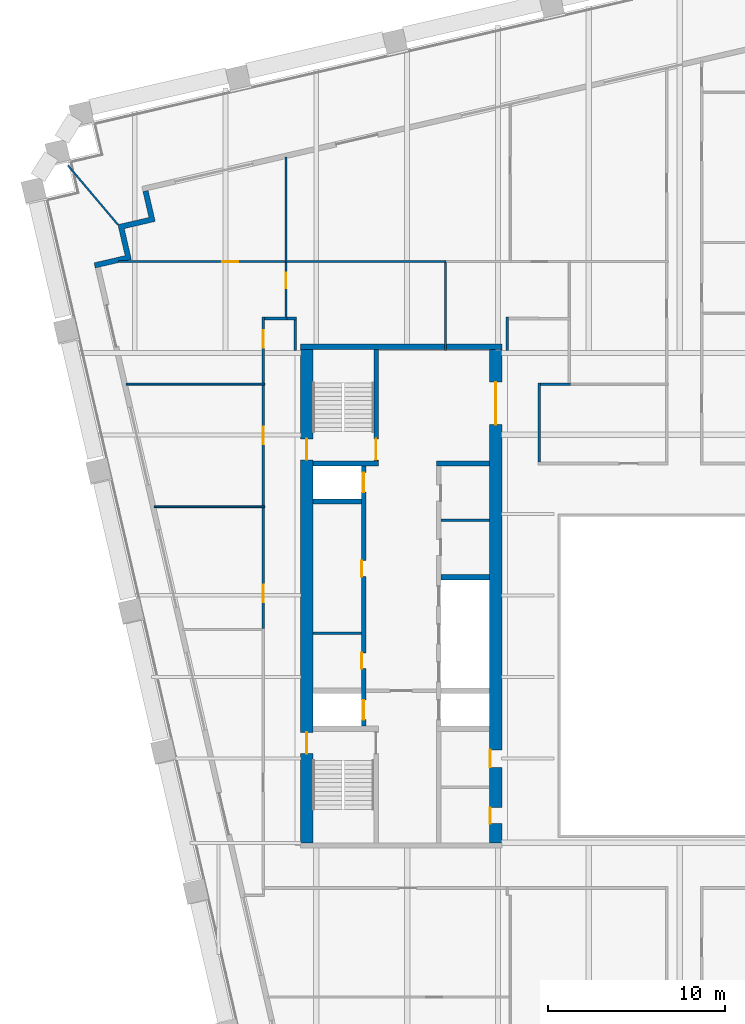
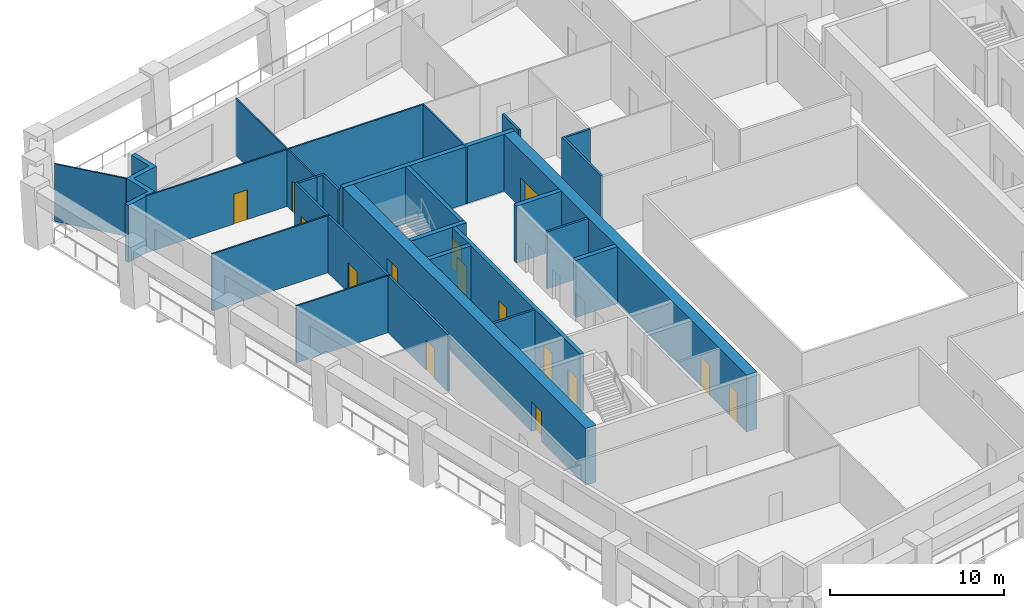
# One storey, part 6 of 10: 29 walls, 15 doors, 15 openings.
"""IFC4 building model written with IfcOpenShell, lengths in metres."""

from ifc_helpers import new_model, si_unit, direction, frame, frame_2d, origin, place, context, subcontext, project, spatial, polyline, rectangle, outline, extrude, material, layer, layer_set, type_object, element, fill, save


model = new_model("IFC4")

# Units and contexts
model_context = context("Model", 3, precision=1e-05, world=origin(), true_north=direction((0.0, 1.0)))
body_context = subcontext(model_context, "Body", "Model", "MODEL_VIEW")
ifc_project = project(units=[si_unit("LENGTHUNIT", "METRE"), si_unit("AREAUNIT", "SQUARE_METRE"), si_unit("VOLUMEUNIT", "CUBIC_METRE"), si_unit("PLANEANGLEUNIT", "RADIAN"), si_unit("MASSUNIT", "GRAM", prefix="KILO")], contexts=[model_context])

# Site, building, storey
site_placement = place(None, origin())
site = spatial("IfcSite", under=ifc_project, at=site_placement, CompositionType="ELEMENT")
building_placement = place(site_placement, origin())
building = spatial("IfcBuilding", under=site, at=building_placement, Name="Ogive Exchange Tower", CompositionType="ELEMENT")
storey_placement = place(building_placement, frame((0.0, 0.0, 192.60009765625)))
storey = spatial("IfcBuildingStorey", under=building, at=storey_placement, Name="L42", CompositionType="ELEMENT", Elevation=192.60009765625)

# Walls
ifc_material_1 = material(Name="Gypsum board partition")
ifc_layer_1 = layer(ifc_material_1, 0.14990234375)
ifc_layer_set_1 = layer_set([ifc_layer_1], Name="Core room partition 150 gypsum")
wall_type_1 = type_object("IfcWallType", Name="Core room partition 150 gypsum", PredefinedType="PARTITIONING", material=ifc_layer_set_1)
for number, where, z_axis, x_axis, name in (
    (1, (-21.0, 9.39990234375, 0.0), (0.0, 0.0, 1.0), (1.0, 0.0, 0.0), "W row A bay partition 1-1"),
    (2, (-13.75, 15.800048828125, 0.0), (0.0, 0.0, 1.0), (1.0, 0.0, 0.0), "W row B bay partition 4-1"),
):
    element("IfcWall", number, at=place(storey_placement, frame(where, z_axis=z_axis, x_axis=x_axis)), inside=storey, type_object=wall_type_1, Name=name, PredefinedType="PARTITIONING", context=body_context, shape_type="SweptSolid", body=[
        extrude(rectangle(XDim=2.75, YDim=0.14990234375, at=frame_2d((1.375, 0.0))), origin(), (0.0, 0.0, 1.0), 4.0),
    ])
ifc_layer_2 = layer(ifc_material_1, 0.300048828125)
ifc_layer_set_2 = layer_set([ifc_layer_2], Name="Core room partition 300 gypsum")
wall_type_2 = type_object("IfcWallType", Name="Core room partition 300 gypsum", PredefinedType="PARTITIONING", material=ifc_layer_set_2)
wall_1_placement = place(storey_placement, frame((-14.0, 19.0, 0.0), z_axis=(0.0, 0.0, 1.0), x_axis=(1.0, 0.0, 0.0)))
element("IfcWall", 3, at=wall_1_placement, inside=storey, type_object=wall_type_2, Name="W row B room end wall 7", PredefinedType="PARTITIONING", context=body_context, shape_type="SweptSolid", body=[
    extrude(rectangle(XDim=3.0, YDim=0.300048828125, at=frame_2d((1.5, 0.0))), origin(), (0.0, 0.0, 1.0), 4.0),
])

# Wall, opening, door
ifc_material_2 = material(Name="Fire partition EI 60 150")
ifc_layer_3 = layer(ifc_material_2, 0.14990234375)
ifc_layer_set_3 = layer_set([ifc_layer_3], Name="Fire partition EI 60 150")
wall_type_3 = type_object("IfcWallType", Name="Fire partition EI 60 150", PredefinedType="PARTITIONING", material=ifc_layer_set_3)
wall_2_placement = place(storey_placement, frame((-23.800048828125, 9.669921875, 0.0), z_axis=(0.0, 0.0, 1.0), x_axis=(0.0, 1.0, 0.0)))
wall_2 = element("IfcWall", 4, at=wall_2_placement, inside=storey, type_object=wall_type_3, Name="L42-PWL-005", PredefinedType="PARTITIONING", context=body_context, shape_type="SweptSolid", body=[
    extrude(rectangle(XDim=6.830078125, YDim=0.14990234375, at=frame_2d((3.4150390625, 0.0))), origin(), (0.0, 0.0, 1.0), 4.0),
])
opening_1_placement = place(wall_2_placement, frame((1.47998046875, 0.0, 0.0)))
opening_1 = element("IfcOpeningElement", 5, at=opening_1_placement, cuts=wall_2, Name="Opening L42-I01", PredefinedType="OPENING", context=body_context, shape_type="SweptSolid", body=[
    extrude(rectangle(XDim=1.0, YDim=2.10009765625, at=frame_2d((0.5, 1.050048828125))), frame((0.0, 0.0849609375, 0.0), z_axis=(0.0, -1.0, 0.0), x_axis=(1.0, 0.0, 0.0)), (0.0, 0.0, 1.0), 0.169921875),
])
ifc_material_3 = material(Name="Fire door FD 30S 1000 x 2100")
door_type_1 = type_object("IfcDoorType", Name="Fire door FD 30S 1000 x 2100", OperationType="NOTDEFINED", PredefinedType="DOOR", material=ifc_material_3)
door_1_placement = place(opening_1_placement, origin())
door_1 = element("IfcDoor", 6, at=door_1_placement, inside=storey, type_object=door_type_1, Name="L42-IDR-001", ObjectType="DT3", OperationType="SINGLE_SWING_RIGHT", OverallHeight=2.10009765625, OverallWidth=1.0, PredefinedType="DOOR", context=body_context, shape_type="SweptSolid", body=[
    extrude(rectangle(XDim=1.0, YDim=2.10009765625, at=frame_2d((0.5, 1.050048828125))), frame((0.0, 0.02490234375, 0.0), z_axis=(0.0, -1.0, 0.0), x_axis=(1.0, 0.0, 0.0)), (0.0, 0.0, 1.0), 0.050048828125),
])
fill(opening_1, door_1)

wall_3_placement = place(storey_placement, frame((-23.800048828125, 16.60009765625, 0.0), z_axis=(0.0, 0.0, 1.0), x_axis=(0.0, 1.0, 0.0)))
wall_3 = element("IfcWall", 7, at=wall_3_placement, inside=storey, type_object=wall_type_3, Name="L42-PWL-006", PredefinedType="PARTITIONING", context=body_context, shape_type="SweptSolid", body=[
    extrude(rectangle(XDim=6.83984375, YDim=0.14990234375, at=frame_2d((3.419921875, 0.0))), origin(), (0.0, 0.0, 1.0), 4.0),
])
opening_2_placement = place(wall_3_placement, frame((3.489990234375, 0.0, 0.0)))
opening_2 = element("IfcOpeningElement", 8, at=opening_2_placement, cuts=wall_3, Name="Opening L42-I02", PredefinedType="OPENING", context=body_context, shape_type="SweptSolid", body=[
    extrude(rectangle(XDim=1.0, YDim=2.10009765625, at=frame_2d((0.5, 1.050048828125))), frame((0.0, 0.0849609375, 0.0), z_axis=(0.0, -1.0, 0.0), x_axis=(1.0, 0.0, 0.0)), (0.0, 0.0, 1.0), 0.169921875),
])
door_2_placement = place(opening_2_placement, origin())
door_2 = element("IfcDoor", 9, at=door_2_placement, inside=storey, type_object=door_type_1, Name="L42-IDR-002", ObjectType="DT3", OperationType="SINGLE_SWING_LEFT", OverallHeight=2.10009765625, OverallWidth=1.0, PredefinedType="DOOR", context=body_context, shape_type="SweptSolid", body=[
    extrude(rectangle(XDim=1.0, YDim=2.10009765625, at=frame_2d((0.5, 1.050048828125))), frame((0.0, 0.02490234375, 0.0), z_axis=(0.0, -1.0, 0.0), x_axis=(1.0, 0.0, 0.0)), (0.0, 0.0, 1.0), 0.050048828125),
])
fill(opening_2, door_2)

wall_4_placement = place(storey_placement, frame((-23.800048828125, 23.5400390625, 0.0), z_axis=(0.0, 0.0, 1.0), x_axis=(0.0, 1.0, 0.0)))
wall_4 = element("IfcWall", 10, at=wall_4_placement, inside=storey, type_object=wall_type_3, Name="L42-PWL-007", PredefinedType="PARTITIONING", context=body_context, shape_type="SweptSolid", body=[
    extrude(rectangle(XDim=3.73486328125, YDim=0.14990234375, at=frame_2d((1.867431640625, 0.0))), origin(), (0.0, 0.0, 1.0), 4.0),
])
opening_3_placement = place(wall_4_placement, frame((2.010009765625, 0.0, 0.0)))
opening_3 = element("IfcOpeningElement", 11, at=opening_3_placement, cuts=wall_4, Name="Opening L42-I10", PredefinedType="OPENING", context=body_context, shape_type="SweptSolid", body=[
    extrude(rectangle(XDim=1.0, YDim=2.10009765625, at=frame_2d((0.5, 1.050048828125))), frame((0.0, 0.0849609375, 0.0), z_axis=(0.0, -1.0, 0.0), x_axis=(1.0, 0.0, 0.0)), (0.0, 0.0, 1.0), 0.169921875),
])
door_3_placement = place(opening_3_placement, origin())
door_3 = element("IfcDoor", 12, at=door_3_placement, inside=storey, type_object=door_type_1, Name="L42-IDR-010", ObjectType="DT3", OperationType="SINGLE_SWING_RIGHT", OverallHeight=2.10009765625, OverallWidth=1.0, PredefinedType="DOOR", context=body_context, shape_type="SweptSolid", body=[
    extrude(rectangle(XDim=1.0, YDim=2.10009765625, at=frame_2d((0.5, 1.050048828125))), frame((0.0, 0.02490234375, 0.0), z_axis=(0.0, -1.0, 0.0), x_axis=(1.0, 0.0, 0.0)), (0.0, 0.0, 1.0), 0.050048828125),
])
fill(opening_3, door_3)

# Walls
wall_5_placement = place(storey_placement, frame((-23.72509765625, 27.199951171875, 0.0), z_axis=(0.0, 0.0, 1.0), x_axis=(1.0, 0.0, 0.0)))
element("IfcWall", 13, at=wall_5_placement, inside=storey, type_object=wall_type_3, Name="L42-PWL-008", PredefinedType="PARTITIONING", context=body_context, shape_type="SweptSolid", body=[
    extrude(rectangle(XDim=1.255126953125, YDim=0.14990234375, at=frame_2d((0.62744140625, 0.0))), origin(), (0.0, 0.0, 1.0), 4.0),
])
wall_6_placement = place(storey_placement, frame((-22.469970703125, 27.199951171875, 0.0), z_axis=(0.0, 0.0, 1.0), x_axis=(1.0, 0.0, 0.0)))
element("IfcWall", 14, at=wall_6_placement, inside=storey, type_object=wall_type_3, Name="L42-PWL-012", PredefinedType="PARTITIONING", context=body_context, shape_type="SweptSolid", body=[
    extrude(rectangle(XDim=0.544921875, YDim=0.14990234375, at=frame_2d((0.2724609375, 0.0))), origin(), (0.0, 0.0, 1.0), 4.0),
])
wall_7_placement = place(storey_placement, frame((-22.0, 27.125, 0.0), z_axis=(0.0, 0.0, 1.0), x_axis=(0.0, -1.0, 0.0)))
element("IfcWall", 15, at=wall_7_placement, inside=storey, type_object=wall_type_3, Name="L42-PWL-016", PredefinedType="PARTITIONING", context=body_context, shape_type="SweptSolid", body=[
    extrude(rectangle(XDim=1.72509765625, YDim=0.14990234375, at=frame_2d((0.862548828125, 0.0))), origin(), (0.0, 0.0, 1.0), 4.0),
])
wall_8_placement = place(storey_placement, frame((-10.0, 25.39990234375, 0.0), z_axis=(0.0, 0.0, 1.0), x_axis=(0.0, 1.0, 0.0)))
element("IfcWall", 16, at=wall_8_placement, inside=storey, type_object=wall_type_3, Name="L42-PWL-021", PredefinedType="PARTITIONING", context=body_context, shape_type="SweptSolid", body=[
    extrude(rectangle(XDim=1.875, YDim=0.14990234375, at=frame_2d((0.9375, 0.0))), origin(), (0.0, 0.0, 1.0), 4.0),
])
wall_9_placement = place(storey_placement, frame((-8.199951171875, 23.56494140625, 0.0), z_axis=(0.0, 0.0, 1.0), x_axis=(0.0, -1.0, 0.0)))
element("IfcWall", 17, at=wall_9_placement, inside=storey, type_object=wall_type_3, Name="L42-PWL-029", PredefinedType="PARTITIONING", context=body_context, shape_type="SweptSolid", body=[
    extrude(rectangle(XDim=4.489990234375, YDim=0.14990234375, at=frame_2d((2.2451171875, 0.0))), origin(), (0.0, 0.0, 1.0), 4.0),
])
wall_10_placement = place(storey_placement, frame((-6.425048828125, 23.489990234375, 0.0), z_axis=(0.0, 0.0, 1.0), x_axis=(-1.0, 0.0, 0.0)))
element("IfcWall", 18, at=wall_10_placement, inside=storey, type_object=wall_type_3, Name="L42-PWL-031", PredefinedType="PARTITIONING", context=body_context, shape_type="SweptSolid", body=[
    extrude(rectangle(XDim=1.699951171875, YDim=0.14990234375, at=frame_2d((0.85009765625, 0.0))), origin(), (0.0, 0.0, 1.0), 4.0),
])
ifc_material_4 = material(Name="Precast concrete C40/50", Category="concrete")
ifc_layer_4 = layer(ifc_material_4, 0.300048828125)
ifc_layer_set_4 = layer_set([ifc_layer_4], Name="Limestone-faced wall 300")
wall_type_4 = type_object("IfcWallType", Name="Limestone-faced wall 300", PredefinedType="STANDARD", material=ifc_layer_set_4)
wall_11_placement = place(storey_placement, origin())
element("IfcWall", 19, at=wall_11_placement, inside=storey, type_object=wall_type_4, Name="External corner wall C3", PredefinedType="STANDARD", context=body_context, shape_type="SweptSolid", body=[
    extrude(outline(polyline([(-31.616943359375, 30.755615234375), (-32.02197265625, 32.509521484375), (-30.26806640625, 32.914306640625), (-30.60546875, 34.3759765625), (-30.31298828125, 34.443359375), (-29.908203125, 32.689697265625), (-31.662109375, 32.28466796875), (-31.257080078125, 30.53076171875), (-33.30322265625, 30.058349609375), (-33.370849609375, 30.3505859375), (-31.616943359375, 30.755615234375)])), origin(), (0.0, 0.0, 1.0), 4.0),
])
ifc_material_5 = material(Name="Laminated safety glass in steel frame", Category="steel")
ifc_layer_5 = layer(ifc_material_5, 0.10009765625)
ifc_layer_set_5 = layer_set([ifc_layer_5], Name="Loggia end screen 100")
wall_type_5 = type_object("IfcWallType", Name="Loggia end screen 100", PredefinedType="STANDARD", material=ifc_layer_set_5)
wall_12_placement = place(storey_placement, frame((-32.02197265625, 32.509521484375, -0.050048828125), z_axis=(0.0, 0.0, 1.0), x_axis=(-0.64553496232, 0.763730719837, 0.0)))
element("IfcWall", 20, at=wall_12_placement, inside=storey, type_object=wall_type_5, Name="Loggia end screen C3", PredefinedType="STANDARD", context=body_context, shape_type="SweptSolid", body=[
    extrude(rectangle(XDim=4.381103515625, YDim=0.10009765625, at=frame_2d((2.1904296875, 0.0))), origin(), (0.0, 0.0, 1.0), 4.050048828125),
])
ifc_material_6 = material(Name="Partition 100 gypsum")
ifc_layer_6 = layer(ifc_material_6, 0.10009765625)
ifc_layer_set_6 = layer_set([ifc_layer_6], Name="Partition 100 gypsum")
wall_type_6 = type_object("IfcWallType", Name="Partition 100 gypsum", PredefinedType="PARTITIONING", material=ifc_layer_set_6)
wall_13_placement = place(storey_placement, frame((-31.56201171875, 23.489990234375, 0.0), z_axis=(0.0, 0.0, 1.0), x_axis=(1.0, 0.0, 0.0)))
element("IfcWall", 21, at=wall_13_placement, inside=storey, type_object=wall_type_6, Name="L42-PWL-001", PredefinedType="PARTITIONING", context=body_context, shape_type="SweptSolid", body=[
    extrude(rectangle(XDim=7.8369140625, YDim=0.10009765625, at=frame_2d((3.91845703125, 0.0))), origin(), (0.0, 0.0, 1.0), 4.0),
])
wall_14_placement = place(storey_placement, frame((-29.958984375, 16.550048828125, 0.0), z_axis=(0.0, 0.0, 1.0), x_axis=(1.0, 0.0, 0.0)))
element("IfcWall", 22, at=wall_14_placement, inside=storey, type_object=wall_type_6, Name="L42-PWL-002", PredefinedType="PARTITIONING", context=body_context, shape_type="SweptSolid", body=[
    extrude(rectangle(XDim=6.23388671875, YDim=0.10009765625, at=frame_2d((3.116943359375, 0.0))), origin(), (0.0, 0.0, 1.0), 4.0),
])

# Wall, opening, door
wall_15_placement = place(storey_placement, frame((-22.52001953125, 27.27490234375, 0.0), z_axis=(0.0, 0.0, 1.0), x_axis=(0.0, 1.0, 0.0)))
wall_15 = element("IfcWall", 23, at=wall_15_placement, inside=storey, type_object=wall_type_6, Name="L42-PWL-011", PredefinedType="PARTITIONING", context=body_context, shape_type="SweptSolid", body=[
    extrude(rectangle(XDim=3.09521484375, YDim=0.10009765625, at=frame_2d((1.547607421875, 0.0))), origin(), (0.0, 0.0, 1.0), 4.0),
])
opening_4_placement = place(wall_15_placement, frame((1.625, 0.0, 0.0)))
opening_4 = element("IfcOpeningElement", 24, at=opening_4_placement, cuts=wall_15, Name="Opening L42-I04", PredefinedType="OPENING", context=body_context, shape_type="SweptSolid", body=[
    extrude(rectangle(XDim=0.89990234375, YDim=2.10009765625, at=frame_2d((0.449951171875, 1.050048828125))), frame((0.0, 0.06005859375, 0.0), z_axis=(0.0, -1.0, 0.0), x_axis=(1.0, 0.0, 0.0)), (0.0, 0.0, 1.0), 0.1201171875),
])
ifc_material_7 = material(Name="Door 900 x 2100")
door_type_2 = type_object("IfcDoorType", Name="Door 900 x 2100", OperationType="NOTDEFINED", PredefinedType="DOOR", material=ifc_material_7)
door_4_placement = place(opening_4_placement, frame((0.89990234375, 0.0, 0.0), z_axis=(0.0, 0.0, 1.0), x_axis=(-1.0, 0.0, 0.0)))
door_4 = element("IfcDoor", 25, at=door_4_placement, inside=storey, type_object=door_type_2, Name="L42-IDR-004", ObjectType="DT1", OperationType="SINGLE_SWING_RIGHT", OverallHeight=2.10009765625, OverallWidth=0.89990234375, PredefinedType="DOOR", context=body_context, shape_type="SweptSolid", body=[
    extrude(rectangle(XDim=0.89990234375, YDim=2.10009765625, at=frame_2d((0.449951171875, 1.050048828125))), frame((0.0, 0.02490234375, 0.0), z_axis=(0.0, -1.0, 0.0), x_axis=(1.0, 0.0, 0.0)), (0.0, 0.0, 1.0), 0.050048828125),
])
fill(opening_4, door_4)

wall_16_placement = place(storey_placement, frame((-22.570068359375, 30.419921875, 0.0), z_axis=(0.0, 0.0, 1.0), x_axis=(-1.0, 0.0, 0.0)))
wall_16 = element("IfcWall", 26, at=wall_16_placement, inside=storey, type_object=wall_type_6, Name="L42-PWL-013", PredefinedType="PARTITIONING", context=body_context, shape_type="SweptSolid", body=[
    extrude(rectangle(XDim=9.411865234375, YDim=0.10009765625, at=frame_2d((4.7060546875, 0.0))), origin(), (0.0, 0.0, 1.0), 4.0),
])
opening_5_placement = place(wall_16_placement, frame((2.64990234375, 0.0, 0.0)))
opening_5 = element("IfcOpeningElement", 27, at=opening_5_placement, cuts=wall_16, Name="Opening L42-I09", PredefinedType="OPENING", context=body_context, shape_type="SweptSolid", body=[
    extrude(rectangle(XDim=0.89990234375, YDim=2.10009765625, at=frame_2d((0.449951171875, 1.050048828125))), frame((0.0, 0.06005859375, 0.0), z_axis=(0.0, -1.0, 0.0), x_axis=(1.0, 0.0, 0.0)), (0.0, 0.0, 1.0), 0.1201171875),
])
door_5_placement = place(opening_5_placement, frame((0.89990234375, 0.0, 0.0), z_axis=(0.0, 0.0, 1.0), x_axis=(-1.0, 0.0, 0.0)))
door_5 = element("IfcDoor", 28, at=door_5_placement, inside=storey, type_object=door_type_2, Name="L42-IDR-009", ObjectType="DT1", OperationType="SINGLE_SWING_LEFT", OverallHeight=2.10009765625, OverallWidth=0.89990234375, PredefinedType="DOOR", context=body_context, shape_type="SweptSolid", body=[
    extrude(rectangle(XDim=0.89990234375, YDim=2.10009765625, at=frame_2d((0.449951171875, 1.050048828125))), frame((0.0, 0.02490234375, 0.0), z_axis=(0.0, -1.0, 0.0), x_axis=(1.0, 0.0, 0.0)), (0.0, 0.0, 1.0), 0.050048828125),
])
fill(opening_5, door_5)

# Walls
wall_17_placement = place(storey_placement, frame((-22.52001953125, 30.3701171875, 0.0), z_axis=(0.0, 0.0, 1.0), x_axis=(0.0, 1.0, 0.0)))
element("IfcWall", 29, at=wall_17_placement, inside=storey, type_object=wall_type_6, Name="L42-PWL-014", PredefinedType="PARTITIONING", context=body_context, shape_type="SweptSolid", body=[
    extrude(rectangle(XDim=5.954833984375, YDim=0.10009765625, at=frame_2d((2.9775390625, 0.0))), origin(), (0.0, 0.0, 1.0), 4.0),
])
wall_18_placement = place(storey_placement, frame((-22.469970703125, 30.419921875, 0.0), z_axis=(0.0, 0.0, 1.0), x_axis=(1.0, 0.0, 0.0)))
element("IfcWall", 30, at=wall_18_placement, inside=storey, type_object=wall_type_6, Name="L42-PWL-015", PredefinedType="PARTITIONING", context=body_context, shape_type="SweptSolid", body=[
    extrude(rectangle(XDim=9.02001953125, YDim=0.10009765625, at=frame_2d((4.510009765625, 0.0))), origin(), (0.0, 0.0, 1.0), 4.0),
])
wall_19_placement = place(storey_placement, frame((-13.5, 30.3701171875, 0.0), z_axis=(0.0, 0.0, 1.0), x_axis=(0.0, -1.0, 0.0)))
element("IfcWall", 31, at=wall_19_placement, inside=storey, type_object=wall_type_6, Name="L42-PWL-017", PredefinedType="PARTITIONING", context=body_context, shape_type="SweptSolid", body=[
    extrude(rectangle(XDim=4.97021484375, YDim=0.10009765625, at=frame_2d((2.485107421875, 0.0))), origin(), (0.0, 0.0, 1.0), 4.0),
])

# Wall, opening, door
ifc_material_8 = material(Name="Concrete C70/85", Category="concrete")
ifc_layer_7 = layer(ifc_material_8, 0.25)
ifc_layer_set_7 = layer_set([ifc_layer_7], Name="RC core wall 250 C70/85")
wall_type_7 = type_object("IfcWallType", Name="RC core wall 250 C70/85", PredefinedType="SHEAR", material=ifc_layer_set_7)
wall_20_placement = place(storey_placement, frame((-17.425048828125, 19.14990234375, 0.0), z_axis=(0.0, 0.0, 1.0), x_axis=(0.0, 1.0, 0.0)))
wall_20 = element("IfcWall", 32, at=wall_20_placement, inside=storey, type_object=wall_type_7, Name="W stair N front wall", PredefinedType="SHEAR", context=body_context, shape_type="SweptSolid", body=[
    extrude(rectangle(XDim=6.300048828125, YDim=0.25, at=frame_2d((3.14990234375, 0.0))), origin(), (0.0, 0.0, 1.0), 4.0),
])
opening_6_placement = place(wall_20_placement, frame((0.050048828125, 0.0, 0.0)))
opening_6 = element("IfcOpeningElement", 33, at=opening_6_placement, cuts=wall_20, Name="Opening L42-C15", PredefinedType="OPENING", context=body_context, shape_type="SweptSolid", body=[
    extrude(rectangle(XDim=1.199951171875, YDim=2.10009765625, at=frame_2d((0.60009765625, 1.050048828125))), frame((0.0, 0.135009765625, 0.0), z_axis=(0.0, -1.0, 0.0), x_axis=(1.0, 0.0, 0.0)), (0.0, 0.0, 1.0), 0.27001953125),
])
ifc_material_9 = material(Name="Steel fire door", Category="steel")
door_type_3 = type_object("IfcDoorType", Name="Stair door FD90 1200 x 2100", OperationType="NOTDEFINED", PredefinedType="DOOR", material=ifc_material_9)
door_6_placement = place(opening_6_placement, origin())
door_6 = element("IfcDoor", 34, at=door_6_placement, inside=storey, type_object=door_type_3, Name="Stair door", ObjectType="CD5", OperationType="SINGLE_SWING_RIGHT", OverallHeight=2.10009765625, OverallWidth=1.199951171875, PredefinedType="DOOR", context=body_context, shape_type="SweptSolid", body=[
    extrude(rectangle(XDim=1.199951171875, YDim=2.10009765625, at=frame_2d((0.60009765625, 1.050048828125))), frame((0.0, 0.02490234375, 0.0), z_axis=(0.0, -1.0, 0.0), x_axis=(1.0, 0.0, 0.0)), (0.0, 0.0, 1.0), 0.050048828125),
])
fill(opening_6, door_6)

# Wall, openings, doors
wall_21_placement = place(storey_placement, frame((-18.125, 4.14990234375, 0.0), z_axis=(0.0, 0.0, 1.0), x_axis=(0.0, 1.0, 0.0)))
wall_21 = element("IfcWall", 35, at=wall_21_placement, inside=storey, type_object=wall_type_7, Name="W row A front wall", PredefinedType="SHEAR", context=body_context, shape_type="SweptSolid", body=[
    extrude(rectangle(XDim=14.7001953125, YDim=0.25, at=frame_2d((7.35009765625, 0.0))), origin(), (0.0, 0.0, 1.0), 4.0),
])
opening_7_placement = place(wall_21_placement, frame((3.246337890625, 0.0, 0.0)))
opening_7 = element("IfcOpeningElement", 36, at=opening_7_placement, cuts=wall_21, Name="Opening L42-C01", PredefinedType="OPENING", context=body_context, shape_type="SweptSolid", body=[
    extrude(rectangle(XDim=0.89990234375, YDim=2.10009765625, at=frame_2d((0.449951171875, 1.050048828125))), frame((0.0, 0.135009765625, 0.0), z_axis=(0.0, -1.0, 0.0), x_axis=(1.0, 0.0, 0.0)), (0.0, 0.0, 1.0), 0.27001953125),
])
opening_8_placement = place(wall_21_placement, frame((8.45361328125, 0.0, 0.0)))
opening_8 = element("IfcOpeningElement", 37, at=opening_8_placement, cuts=wall_21, Name="Opening L42-C02", PredefinedType="OPENING", context=body_context, shape_type="SweptSolid", body=[
    extrude(rectangle(XDim=0.89990234375, YDim=2.10009765625, at=frame_2d((0.449951171875, 1.050048828125))), frame((0.0, 0.135009765625, 0.0), z_axis=(0.0, -1.0, 0.0), x_axis=(1.0, 0.0, 0.0)), (0.0, 0.0, 1.0), 0.27001953125),
])
opening_9_placement = place(wall_21_placement, frame((0.371337890625, 0.0, 0.0)))
opening_9 = element("IfcOpeningElement", 38, at=opening_9_placement, cuts=wall_21, Name="Opening L42-C03", PredefinedType="OPENING", context=body_context, shape_type="SweptSolid", body=[
    extrude(rectangle(XDim=1.10009765625, YDim=2.10009765625, at=frame_2d((0.550048828125, 1.050048828125))), frame((0.0, 0.135009765625, 0.0), z_axis=(0.0, -1.0, 0.0), x_axis=(1.0, 0.0, 0.0)), (0.0, 0.0, 1.0), 0.27001953125),
])
opening_10_placement = place(wall_21_placement, frame((13.228515625, 0.0, 0.0)))
opening_10 = element("IfcOpeningElement", 39, at=opening_10_placement, cuts=wall_21, Name="Opening L42-C04", PredefinedType="OPENING", context=body_context, shape_type="SweptSolid", body=[
    extrude(rectangle(XDim=1.10009765625, YDim=2.10009765625, at=frame_2d((0.550048828125, 1.050048828125))), frame((0.0, 0.135009765625, 0.0), z_axis=(0.0, -1.0, 0.0), x_axis=(1.0, 0.0, 0.0)), (0.0, 0.0, 1.0), 0.27001953125),
])
ifc_material_10 = material(Name="Stainless steel", Category="steel")
door_type_4 = type_object("IfcDoorType", Name="Lift landing door FD90 1100 x 2100", OperationType="SLIDING_TO_LEFT", PredefinedType="DOOR", material=ifc_material_10)
door_7_placement = place(opening_9_placement, origin())
door_7 = element("IfcDoor", 40, at=door_7_placement, inside=storey, type_object=door_type_4, Name="Lift landing door FF1", ObjectType="LD", OperationType="SLIDING_TO_LEFT", OverallHeight=2.10009765625, OverallWidth=1.10009765625, PredefinedType="DOOR", context=body_context, shape_type="SweptSolid", body=[
    extrude(rectangle(XDim=1.10009765625, YDim=2.10009765625, at=frame_2d((0.550048828125, 1.050048828125))), frame((0.0, 0.02490234375, 0.0), z_axis=(0.0, -1.0, 0.0), x_axis=(1.0, 0.0, 0.0)), (0.0, 0.0, 1.0), 0.050048828125),
])
fill(opening_9, door_7)
door_8_placement = place(opening_10_placement, origin())
door_8 = element("IfcDoor", 41, at=door_8_placement, inside=storey, type_object=door_type_4, Name="Lift landing door W-SH2", ObjectType="LD", OperationType="SLIDING_TO_LEFT", OverallHeight=2.10009765625, OverallWidth=1.10009765625, PredefinedType="DOOR", context=body_context, shape_type="SweptSolid", body=[
    extrude(rectangle(XDim=1.10009765625, YDim=2.10009765625, at=frame_2d((0.550048828125, 1.050048828125))), frame((0.0, 0.02490234375, 0.0), z_axis=(0.0, -1.0, 0.0), x_axis=(1.0, 0.0, 0.0)), (0.0, 0.0, 1.0), 0.050048828125),
])
fill(opening_10, door_8)
door_type_5 = type_object("IfcDoorType", Name="Riser door FD60 900 x 2100", OperationType="NOTDEFINED", PredefinedType="DOOR", material=ifc_material_9)
door_9_placement = place(opening_7_placement, origin())
door_9 = element("IfcDoor", 42, at=door_9_placement, inside=storey, type_object=door_type_5, Name="Riser door", ObjectType="CD2", OperationType="SINGLE_SWING_LEFT", OverallHeight=2.10009765625, OverallWidth=0.89990234375, PredefinedType="DOOR", context=body_context, shape_type="SweptSolid", body=[
    extrude(rectangle(XDim=0.89990234375, YDim=2.10009765625, at=frame_2d((0.449951171875, 1.050048828125))), frame((0.0, 0.125, 0.0), z_axis=(0.0, -1.0, 0.0), x_axis=(1.0, 0.0, 0.0)), (0.0, 0.0, 1.0), 0.050048828125),
])
fill(opening_7, door_9)
door_10_placement = place(opening_8_placement, origin())
door_10 = element("IfcDoor", 43, at=door_10_placement, inside=storey, type_object=door_type_5, Name="Riser door", ObjectType="CD2", OperationType="SINGLE_SWING_LEFT", OverallHeight=2.10009765625, OverallWidth=0.89990234375, PredefinedType="DOOR", context=body_context, shape_type="SweptSolid", body=[
    extrude(rectangle(XDim=0.89990234375, YDim=2.10009765625, at=frame_2d((0.449951171875, 1.050048828125))), frame((0.0, 0.125, 0.0), z_axis=(0.0, -1.0, 0.0), x_axis=(1.0, 0.0, 0.0)), (0.0, 0.0, 1.0), 0.050048828125),
])
fill(opening_8, door_10)

# Walls
ifc_layer_8 = layer(ifc_material_8, 0.300048828125)
ifc_layer_set_8 = layer_set([ifc_layer_8], Name="RC core wall 300 C70/85")
wall_type_8 = type_object("IfcWallType", Name="RC core wall 300 C70/85", PredefinedType="SHEAR", material=ifc_layer_set_8)
wall_22_placement = place(storey_placement, frame((-21.699951171875, 25.60009765625, 0.0), z_axis=(0.0, 0.0, 1.0), x_axis=(1.0, 0.0, 0.0)))
element("IfcWall", 44, at=wall_22_placement, inside=storey, type_object=wall_type_8, Name="W north end wall", PredefinedType="SHEAR", context=body_context, shape_type="SweptSolid", body=[
    extrude(rectangle(XDim=11.39990234375, YDim=0.300048828125, at=frame_2d((5.699951171875, 0.0))), origin(), (0.0, 0.0, 1.0), 4.0),
])
wall_23_placement = place(storey_placement, frame((-21.0, 19.0, 0.0), z_axis=(0.0, 0.0, 1.0), x_axis=(1.0, 0.0, 0.0)))
element("IfcWall", 45, at=wall_23_placement, inside=storey, type_object=wall_type_8, Name="W stair N south wall", PredefinedType="SHEAR", context=body_context, shape_type="SweptSolid", body=[
    extrude(rectangle(XDim=3.699951171875, YDim=0.300048828125, at=frame_2d((1.85009765625, 0.0))), origin(), (0.0, 0.0, 1.0), 4.0),
])
for number, where, z_axis, x_axis, name in (
    (46, (-21.0, 16.857177734375, 0.0), (0.0, 0.0, 1.0), (1.0, 0.0, 0.0), "W row A divider 6"),
    (47, (-13.75, 12.5712890625, 0.0), (0.0, 0.0, 1.0), (1.0, 0.0, 0.0), "W row B divider 4"),
):
    element("IfcWall", number, at=place(storey_placement, frame(where, z_axis=z_axis, x_axis=x_axis)), inside=storey, type_object=wall_type_8, Name=name, PredefinedType="SHEAR", context=body_context, shape_type="SweptSolid", body=[
        extrude(rectangle(XDim=2.75, YDim=0.300048828125, at=frame_2d((1.375, 0.0))), origin(), (0.0, 0.0, 1.0), 4.0),
    ])

# Wall, openings, doors
ifc_layer_9 = layer(ifc_material_8, 0.699951171875)
ifc_layer_set_9 = layer_set([ifc_layer_9], Name="RC core wall 700 C70/85")
wall_type_9 = type_object("IfcWallType", Name="RC core wall 700 C70/85", PredefinedType="SHEAR", material=ifc_layer_set_9)
wall_24_placement = place(storey_placement, frame((-21.35009765625, -2.449951171875, 0.0), z_axis=(0.0, 0.0, 1.0), x_axis=(0.0, 1.0, 0.0)))
wall_24 = element("IfcWall", 48, at=wall_24_placement, inside=storey, type_object=wall_type_9, Name="W outer wall", PredefinedType="SHEAR", context=body_context, shape_type="SweptSolid", body=[
    extrude(rectangle(XDim=27.89990234375, YDim=0.699951171875, at=frame_2d((13.949951171875, 0.0))), origin(), (0.0, 0.0, 1.0), 4.0),
])
opening_11_placement = place(wall_24_placement, frame((5.050048828125, 0.0, 0.0)))
opening_11 = element("IfcOpeningElement", 49, at=opening_11_placement, cuts=wall_24, Name="Opening L42-C14", PredefinedType="OPENING", context=body_context, shape_type="SweptSolid", body=[
    extrude(rectangle(XDim=1.199951171875, YDim=2.10009765625, at=frame_2d((0.60009765625, 1.050048828125))), frame((0.0, 0.35986328125, 0.0), z_axis=(0.0, -1.0, 0.0), x_axis=(1.0, 0.0, 0.0)), (0.0, 0.0, 1.0), 0.719970703125),
])
opening_12_placement = place(wall_24_placement, frame((21.64990234375, 0.0, 0.0)))
opening_12 = element("IfcOpeningElement", 50, at=opening_12_placement, cuts=wall_24, Name="Opening L42-C16", PredefinedType="OPENING", context=body_context, shape_type="SweptSolid", body=[
    extrude(rectangle(XDim=1.199951171875, YDim=2.10009765625, at=frame_2d((0.60009765625, 1.050048828125))), frame((0.0, 0.35986328125, 0.0), z_axis=(0.0, -1.0, 0.0), x_axis=(1.0, 0.0, 0.0)), (0.0, 0.0, 1.0), 0.719970703125),
])
door_11_placement = place(opening_11_placement, frame((1.199951171875, 0.0, 0.0), z_axis=(0.0, 0.0, 1.0), x_axis=(-1.0, 0.0, 0.0)))
door_11 = element("IfcDoor", 51, at=door_11_placement, inside=storey, type_object=door_type_3, Name="Stair door", ObjectType="CD5", OperationType="SINGLE_SWING_RIGHT", OverallHeight=2.10009765625, OverallWidth=1.199951171875, PredefinedType="DOOR", context=body_context, shape_type="SweptSolid", body=[
    extrude(rectangle(XDim=1.199951171875, YDim=2.10009765625, at=frame_2d((0.60009765625, 1.050048828125))), frame((0.0, 0.02490234375, 0.0), z_axis=(0.0, -1.0, 0.0), x_axis=(1.0, 0.0, 0.0)), (0.0, 0.0, 1.0), 0.050048828125),
])
fill(opening_11, door_11)
door_12_placement = place(opening_12_placement, frame((1.199951171875, 0.0, 0.0), z_axis=(0.0, 0.0, 1.0), x_axis=(-1.0, 0.0, 0.0)))
door_12 = element("IfcDoor", 52, at=door_12_placement, inside=storey, type_object=door_type_3, Name="Stair door", ObjectType="CD5", OperationType="SINGLE_SWING_LEFT", OverallHeight=2.10009765625, OverallWidth=1.199951171875, PredefinedType="DOOR", context=body_context, shape_type="SweptSolid", body=[
    extrude(rectangle(XDim=1.199951171875, YDim=2.10009765625, at=frame_2d((0.60009765625, 1.050048828125))), frame((0.0, 0.02490234375, 0.0), z_axis=(0.0, -1.0, 0.0), x_axis=(1.0, 0.0, 0.0)), (0.0, 0.0, 1.0), 0.050048828125),
])
fill(opening_12, door_12)

wall_25_placement = place(storey_placement, frame((-10.64990234375, -2.449951171875, 0.0), z_axis=(0.0, 0.0, 1.0), x_axis=(0.0, 1.0, 0.0)))
wall_25 = element("IfcWall", 53, at=wall_25_placement, inside=storey, type_object=wall_type_9, Name="W inner wall", PredefinedType="SHEAR", context=body_context, shape_type="SweptSolid", body=[
    extrude(rectangle(XDim=27.89990234375, YDim=0.699951171875, at=frame_2d((13.949951171875, 0.0))), origin(), (0.0, 0.0, 1.0), 4.0),
])
opening_13_placement = place(wall_25_placement, frame((23.64990234375, 0.0, 0.0)))
opening_13 = element("IfcOpeningElement", 54, at=opening_13_placement, cuts=wall_25, Name="Opening L42-C12", PredefinedType="OPENING", context=body_context, shape_type="SweptSolid", body=[
    extrude(rectangle(XDim=2.39990234375, YDim=2.10009765625, at=frame_2d((1.199951171875, 1.050048828125))), frame((0.0, 0.35986328125, 0.0), z_axis=(0.0, -1.0, 0.0), x_axis=(1.0, 0.0, 0.0)), (0.0, 0.0, 1.0), 0.719970703125),
])
opening_14_placement = place(wall_25_placement, frame((1.08740234375, 0.0, 0.0)))
opening_14 = element("IfcOpeningElement", 55, at=opening_14_placement, cuts=wall_25, Name="Opening L42-C17", PredefinedType="OPENING", context=body_context, shape_type="SweptSolid", body=[
    extrude(rectangle(XDim=0.89990234375, YDim=2.10009765625, at=frame_2d((0.449951171875, 1.050048828125))), frame((0.0, 0.35986328125, 0.0), z_axis=(0.0, -1.0, 0.0), x_axis=(1.0, 0.0, 0.0)), (0.0, 0.0, 1.0), 0.719970703125),
])
opening_15_placement = place(wall_25_placement, frame((4.262451171875, 0.0, 0.0)))
opening_15 = element("IfcOpeningElement", 56, at=opening_15_placement, cuts=wall_25, Name="Opening L42-C18", PredefinedType="OPENING", context=body_context, shape_type="SweptSolid", body=[
    extrude(rectangle(XDim=1.0, YDim=2.10009765625, at=frame_2d((0.5, 1.050048828125))), frame((0.0, 0.35986328125, 0.0), z_axis=(0.0, -1.0, 0.0), x_axis=(1.0, 0.0, 0.0)), (0.0, 0.0, 1.0), 0.719970703125),
])
ifc_material_11 = material(Name="Timber fire door", Category="wood")
door_type_6 = type_object("IfcDoorType", Name="Accessible WC door FD30S 1000 x 2100", OperationType="NOTDEFINED", PredefinedType="DOOR", material=ifc_material_11)
door_13_placement = place(opening_15_placement, origin())
door_13 = element("IfcDoor", 57, at=door_13_placement, inside=storey, type_object=door_type_6, Name="Accessible WC door", ObjectType="CD7", OperationType="SINGLE_SWING_RIGHT", OverallHeight=2.10009765625, OverallWidth=1.0, PredefinedType="DOOR", context=body_context, shape_type="SweptSolid", body=[
    extrude(rectangle(XDim=1.0, YDim=2.10009765625, at=frame_2d((0.5, 1.050048828125))), frame((0.0, 0.35009765625, 0.0), z_axis=(0.0, -1.0, 0.0), x_axis=(1.0, 0.0, 0.0)), (0.0, 0.0, 1.0), 0.050048828125),
])
fill(opening_15, door_13)
door_type_7 = type_object("IfcDoorType", Name="Core room door FD30S 900 x 2100", OperationType="NOTDEFINED", PredefinedType="DOOR", material=ifc_material_11)
door_14_placement = place(opening_14_placement, origin())
door_14 = element("IfcDoor", 58, at=door_14_placement, inside=storey, type_object=door_type_7, Name="Core room door", ObjectType="CD6", OperationType="SINGLE_SWING_LEFT", OverallHeight=2.10009765625, OverallWidth=0.89990234375, PredefinedType="DOOR", context=body_context, shape_type="SweptSolid", body=[
    extrude(rectangle(XDim=0.89990234375, YDim=2.10009765625, at=frame_2d((0.449951171875, 1.050048828125))), frame((0.0, 0.35009765625, 0.0), z_axis=(0.0, -1.0, 0.0), x_axis=(1.0, 0.0, 0.0)), (0.0, 0.0, 1.0), 0.050048828125),
])
fill(opening_14, door_14)
ifc_material_12 = material(Name="Glazed steel fire door", Category="steel")
door_type_8 = type_object("IfcDoorType", Name="Lift lobby double door FD60 2400 x 2100", OperationType="DOUBLE_DOOR_SINGLE_SWING", PredefinedType="DOOR", material=ifc_material_12)
door_15_placement = place(opening_13_placement, frame((2.39990234375, 0.0, 0.0), z_axis=(0.0, 0.0, 1.0), x_axis=(-1.0, 0.0, 0.0)))
door_15 = element("IfcDoor", 59, at=door_15_placement, inside=storey, type_object=door_type_8, Name="Lift lobby double door", ObjectType="CD4", OperationType="DOUBLE_DOOR_SINGLE_SWING", OverallHeight=2.10009765625, OverallWidth=2.39990234375, PredefinedType="DOOR", context=body_context, shape_type="SweptSolid", body=[
    extrude(rectangle(XDim=2.39990234375, YDim=2.10009765625, at=frame_2d((1.199951171875, 1.050048828125))), frame((0.0, 0.02490234375, 0.0), z_axis=(0.0, -1.0, 0.0), x_axis=(1.0, 0.0, 0.0)), (0.0, 0.0, 1.0), 0.050048828125),
])
fill(opening_13, door_15)

save(model, "model.ifc")
